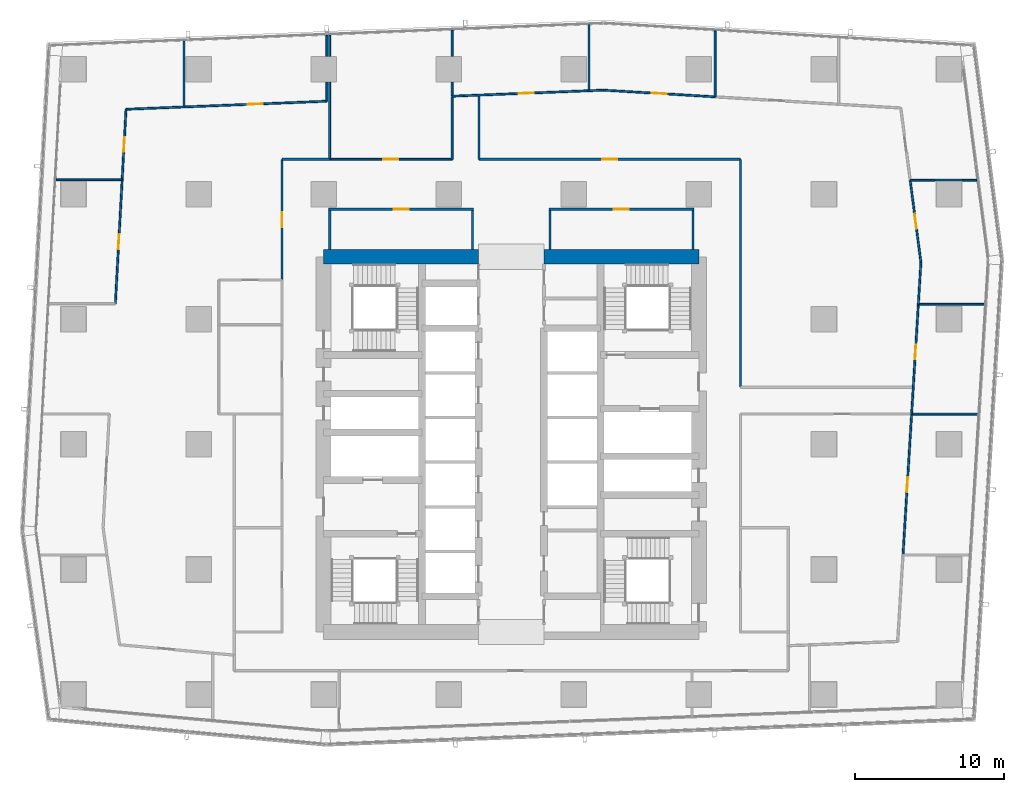
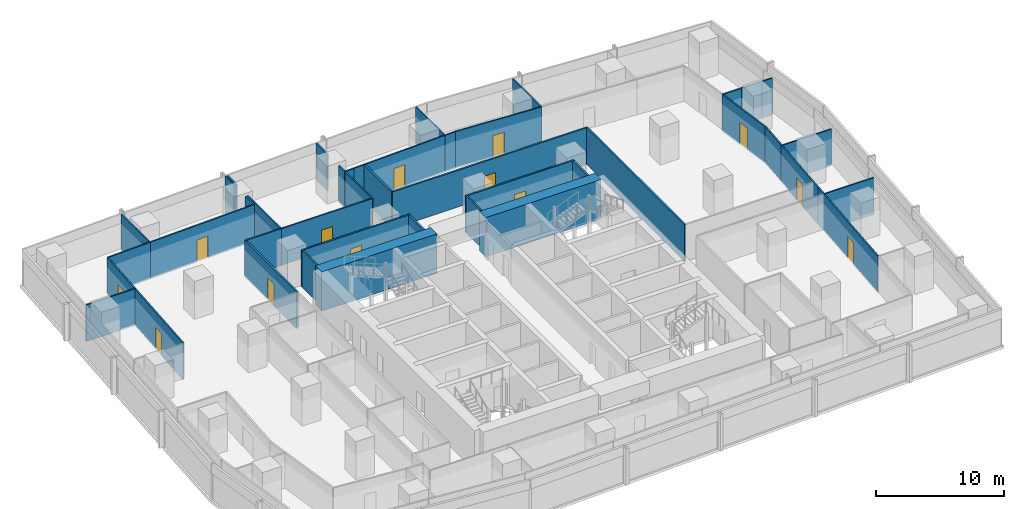
# One storey, part 31 of 40: 43 walls, 13 doors, 13 openings.
"""IFC4 building model written with IfcOpenShell, lengths in metres."""

from ifc_helpers import new_model, si_unit, direction, frame, frame_2d, origin, place, context, subcontext, project, spatial, rectangle, extrude, material, layer, layer_set, type_object, element, fill, save


model = new_model("IFC4")

# Units and contexts
model_context = context("Model", 3, precision=1e-05, world=origin(), true_north=direction((0.0, 1.0)))
body_context = subcontext(model_context, "Body", "Model", "MODEL_VIEW")
ifc_project = project(units=[si_unit("LENGTHUNIT", "METRE"), si_unit("AREAUNIT", "SQUARE_METRE"), si_unit("VOLUMEUNIT", "CUBIC_METRE"), si_unit("PLANEANGLEUNIT", "RADIAN"), si_unit("MASSUNIT", "GRAM", prefix="KILO")], contexts=[model_context])

# Site, building, storey
site_placement = place(None, origin())
site = spatial("IfcSite", under=ifc_project, at=site_placement, CompositionType="ELEMENT")
building_placement = place(site_placement, origin())
building = spatial("IfcBuilding", under=site, at=building_placement, Name="Rekha Terrace Tower", CompositionType="ELEMENT")
storey_placement = place(building_placement, frame((0.0, 0.0, 110.300048828125)))
storey = spatial("IfcBuildingStorey", under=building, at=storey_placement, Name="L27", CompositionType="ELEMENT", Elevation=110.300048828125)

# Walls
ifc_material_1 = material(Name="Concrete M70", Category="concrete")
ifc_layer_1 = layer(ifc_material_1, 1.0)
ifc_layer_set_1 = layer_set([ifc_layer_1], Name="Concrete M70")
wall_type_1 = type_object("IfcWallType", Name="SW2 1000 core outer shear wall", PredefinedType="SHEAR", material=ifc_layer_set_1)
wall_1_placement = place(storey_placement, frame((25.199951171875, 46.199951171875, 0.0), z_axis=(0.0, 0.0, 1.0), x_axis=(1.0, 0.0, 0.0)))
element("IfcWall", 1, at=wall_1_placement, inside=storey, type_object=wall_type_1, Name="Core wall N1 L27", PredefinedType="SHEAR", context=body_context, shape_type="SweptSolid", body=[
    extrude(rectangle(XDim=10.400146484375, YDim=1.0, at=frame_2d((5.2001953125, 0.0))), origin(), (0.0, 0.0, 1.0), 3.75),
])
wall_2_placement = place(storey_placement, frame((40.0, 46.199951171875, 0.0), z_axis=(0.0, 0.0, 1.0), x_axis=(1.0, 0.0, 0.0)))
element("IfcWall", 2, at=wall_2_placement, inside=storey, type_object=wall_type_1, Name="Core wall N2 L27", PredefinedType="SHEAR", context=body_context, shape_type="SweptSolid", body=[
    extrude(rectangle(XDim=10.39990234375, YDim=1.0, at=frame_2d((5.199951171875, 0.0))), origin(), (0.0, 0.0, 1.0), 3.75),
])

# Wall, opening, door
ifc_material_2 = material(Name="Concrete block masonry, 1 hour", Category="masonry")
ifc_layer_2 = layer(ifc_material_2, 0.14990234375)
ifc_layer_set_2 = layer_set([ifc_layer_2], Name="Concrete block masonry, 1 hour")
wall_type_2 = type_object("IfcWallType", Name="WP2 150 tenancy partition", PredefinedType="PARTITIONING", material=ifc_layer_set_2)
wall_3_placement = place(storey_placement, frame((40.324951171875, 49.39990234375, 0.0), z_axis=(0.0, 0.0, 1.0), x_axis=(1.0, 0.0, 0.0)))
wall_3 = element("IfcWall", 3, at=wall_3_placement, inside=storey, type_object=wall_type_2, Name="Women's WC wall L27", PredefinedType="PARTITIONING", context=body_context, shape_type="SweptSolid", body=[
    extrude(rectangle(XDim=9.75, YDim=0.14990234375, at=frame_2d((4.875, 0.0))), origin(), (0.0, 0.0, 1.0), 3.5),
])
opening_1_placement = place(wall_3_placement, frame((4.375, 0.0, 0.0)))
opening_1 = element("IfcOpeningElement", 4, at=opening_1_placement, cuts=wall_3, Name="Opening D3", PredefinedType="OPENING", context=body_context, shape_type="SweptSolid", body=[
    extrude(rectangle(XDim=1.0, YDim=2.10009765625, at=frame_2d((0.5, 1.050048828125))), frame((0.0, 0.0849609375, 0.0), z_axis=(0.0, -1.0, 0.0), x_axis=(1.0, 0.0, 0.0)), (0.0, 0.0, 1.0), 0.169921875),
])
ifc_material_3 = material(Name="Laminated timber fire door", Category="wood")
door_type_1 = type_object("IfcDoorType", Name="D3 1000x2100 WC door", OperationType="SINGLE_SWING_LEFT", PredefinedType="DOOR", material=ifc_material_3)
door_1_placement = place(opening_1_placement, origin())
door_1 = element("IfcDoor", 5, at=door_1_placement, inside=storey, type_object=door_type_1, Name="Door women's wc L27", OperationType="SINGLE_SWING_LEFT", OverallHeight=2.10009765625, OverallWidth=1.0, PredefinedType="DOOR", context=body_context, shape_type="SweptSolid", body=[
    extrude(rectangle(XDim=1.0, YDim=2.10009765625, at=frame_2d((0.5, 1.050048828125))), frame((0.0, 0.02490234375, 0.0), z_axis=(0.0, -1.0, 0.0), x_axis=(1.0, 0.0, 0.0)), (0.0, 0.0, 1.0), 0.050048828125),
])
fill(opening_1, door_1)

# Walls
for number, where, z_axis, x_axis, name in (
    (6, (40.39990234375, 46.699951171875, 0.0), (0.0, 0.0, 1.0), (0.0, 1.0, 0.0), "Women's WC wall L27"),
    (7, (50.0, 46.699951171875, 0.0), (0.0, 0.0, 1.0), (0.0, 1.0, 0.0), "Women's WC wall L27"),
):
    element("IfcWall", number, at=place(storey_placement, frame(where, z_axis=z_axis, x_axis=x_axis)), inside=storey, type_object=wall_type_2, Name=name, PredefinedType="PARTITIONING", context=body_context, shape_type="SweptSolid", body=[
        extrude(rectangle(XDim=2.625, YDim=0.14990234375, at=frame_2d((1.3125, 0.0))), origin(), (0.0, 0.0, 1.0), 3.5),
    ])

# Wall, opening, door
wall_4_placement = place(storey_placement, frame((25.52490234375, 49.39990234375, 0.0), z_axis=(0.0, 0.0, 1.0), x_axis=(1.0, 0.0, 0.0)))
wall_4 = element("IfcWall", 8, at=wall_4_placement, inside=storey, type_object=wall_type_2, Name="Women's WC wall L27", PredefinedType="PARTITIONING", context=body_context, shape_type="SweptSolid", body=[
    extrude(rectangle(XDim=9.75, YDim=0.14990234375, at=frame_2d((4.875, 0.0))), origin(), (0.0, 0.0, 1.0), 3.5),
])
opening_2_placement = place(wall_4_placement, frame((4.375, 0.0, 0.0)))
opening_2 = element("IfcOpeningElement", 9, at=opening_2_placement, cuts=wall_4, Name="Opening D3", PredefinedType="OPENING", context=body_context, shape_type="SweptSolid", body=[
    extrude(rectangle(XDim=1.0, YDim=2.10009765625, at=frame_2d((0.5, 1.050048828125))), frame((0.0, 0.0849609375, 0.0), z_axis=(0.0, -1.0, 0.0), x_axis=(1.0, 0.0, 0.0)), (0.0, 0.0, 1.0), 0.169921875),
])
door_2_placement = place(opening_2_placement, origin())
door_2 = element("IfcDoor", 10, at=door_2_placement, inside=storey, type_object=door_type_1, Name="Door women's wc L27", OperationType="SINGLE_SWING_LEFT", OverallHeight=2.10009765625, OverallWidth=1.0, PredefinedType="DOOR", context=body_context, shape_type="SweptSolid", body=[
    extrude(rectangle(XDim=1.0, YDim=2.10009765625, at=frame_2d((0.5, 1.050048828125))), frame((0.0, 0.02490234375, 0.0), z_axis=(0.0, -1.0, 0.0), x_axis=(1.0, 0.0, 0.0)), (0.0, 0.0, 1.0), 0.050048828125),
])
fill(opening_2, door_2)

# Walls
for number, where, z_axis, x_axis, name in (
    (11, (25.60009765625, 46.699951171875, 0.0), (0.0, 0.0, 1.0), (0.0, 1.0, 0.0), "Women's WC wall L27"),
    (12, (35.199951171875, 46.699951171875, 0.0), (0.0, 0.0, 1.0), (0.0, 1.0, 0.0), "Women's WC wall L27"),
):
    element("IfcWall", number, at=place(storey_placement, frame(where, z_axis=z_axis, x_axis=x_axis)), inside=storey, type_object=wall_type_2, Name=name, PredefinedType="PARTITIONING", context=body_context, shape_type="SweptSolid", body=[
        extrude(rectangle(XDim=2.625, YDim=0.14990234375, at=frame_2d((1.3125, 0.0))), origin(), (0.0, 0.0, 1.0), 3.5),
    ])
wall_5_placement = place(storey_placement, frame((66.260009765625, 51.35498046875, 0.0), z_axis=(0.0, 0.0, 1.0), x_axis=(1.0, 0.0, 0.0)))
element("IfcWall", 13, at=wall_5_placement, inside=storey, type_object=wall_type_2, Name="Partition L27-O1", PredefinedType="PARTITIONING", context=body_context, shape_type="SweptSolid", body=[
    extrude(rectangle(XDim=1.8798828125, YDim=0.14990234375, at=frame_2d((0.93994140625, 0.0))), origin(), (0.0, 0.0, 1.0), 3.5),
])
wall_6_placement = place(storey_placement, frame((53.199951171875, 37.43701171875, 0.0), z_axis=(0.0, 0.0, 1.0), x_axis=(0.0, 1.0, 0.0)))
element("IfcWall", 14, at=wall_6_placement, inside=storey, type_object=wall_type_2, Name="Partition L27-O1", PredefinedType="PARTITIONING", context=body_context, shape_type="SweptSolid", body=[
    extrude(rectangle(XDim=15.31298828125, YDim=0.14990234375, at=frame_2d((7.656494140625, 0.0))), origin(), (0.0, 0.0, 1.0), 3.5),
])

# Wall, opening, door
wall_7_placement = place(storey_placement, frame((53.199951171875, 52.75, 0.0), z_axis=(0.0, 0.0, 1.0), x_axis=(-1.0, 0.0, 0.0)))
wall_7 = element("IfcWall", 15, at=wall_7_placement, inside=storey, type_object=wall_type_2, Name="Partition L27-O1", PredefinedType="PARTITIONING", context=body_context, shape_type="SweptSolid", body=[
    extrude(rectangle(XDim=17.573974609375, YDim=0.14990234375, at=frame_2d((8.787109375, 0.0))), origin(), (0.0, 0.0, 1.0), 3.5),
])
opening_3_placement = place(wall_7_placement, frame((8.287109375, 0.0, 0.0)))
opening_3 = element("IfcOpeningElement", 16, at=opening_3_placement, cuts=wall_7, Name="Opening D9", PredefinedType="OPENING", context=body_context, shape_type="SweptSolid", body=[
    extrude(rectangle(XDim=1.0, YDim=2.10009765625, at=frame_2d((0.5, 1.050048828125))), frame((0.0, 0.0849609375, 0.0), z_axis=(0.0, -1.0, 0.0), x_axis=(1.0, 0.0, 0.0)), (0.0, 0.0, 1.0), 0.169921875),
])
ifc_material_4 = material(Name="Timber fire door", Category="wood")
door_type_2 = type_object("IfcDoorType", Name="D9 1000x2100 office door", OperationType="SINGLE_SWING_LEFT", PredefinedType="DOOR", material=ifc_material_4)
door_3_placement = place(opening_3_placement, origin())
door_3 = element("IfcDoor", 17, at=door_3_placement, inside=storey, type_object=door_type_2, Name="Door open-plan office L27", OperationType="SINGLE_SWING_LEFT", OverallHeight=2.10009765625, OverallWidth=1.0, PredefinedType="DOOR", context=body_context, shape_type="SweptSolid", body=[
    extrude(rectangle(XDim=1.0, YDim=2.10009765625, at=frame_2d((0.5, 1.050048828125))), frame((0.0, 0.02490234375, 0.0), z_axis=(0.0, -1.0, 0.0), x_axis=(1.0, 0.0, 0.0)), (0.0, 0.0, 1.0), 0.050048828125),
])
fill(opening_3, door_3)

# Walls
wall_8_placement = place(storey_placement, frame((35.6259765625, 52.75, 0.0), z_axis=(0.0, 0.0, 1.0), x_axis=(0.0, 1.0, 0.0)))
element("IfcWall", 18, at=wall_8_placement, inside=storey, type_object=wall_type_2, Name="Partition L27-O1", PredefinedType="PARTITIONING", context=body_context, shape_type="SweptSolid", body=[
    extrude(rectangle(XDim=4.24609375, YDim=0.14990234375, at=frame_2d((2.123046875, 0.0))), origin(), (0.0, 0.0, 1.0), 3.5),
])
wall_9_placement = place(storey_placement, frame((25.60009765625, 52.75, 0.0), z_axis=(0.0, 0.0, 1.0), x_axis=(-1.0, 0.0, 0.0)))
element("IfcWall", 19, at=wall_9_placement, inside=storey, type_object=wall_type_2, Name="Partition L27-O2", PredefinedType="PARTITIONING", context=body_context, shape_type="SweptSolid", body=[
    extrude(rectangle(XDim=3.2001953125, YDim=0.14990234375, at=frame_2d((1.60009765625, 0.0))), origin(), (0.0, 0.0, 1.0), 3.5),
])

# Wall, opening, door
wall_10_placement = place(storey_placement, frame((22.39990234375, 52.75, 0.0), z_axis=(0.0, 0.0, 1.0), x_axis=(0.0, -1.0, 0.0)))
wall_10 = element("IfcWall", 20, at=wall_10_placement, inside=storey, type_object=wall_type_2, Name="Partition L27-O2", PredefinedType="PARTITIONING", context=body_context, shape_type="SweptSolid", body=[
    extrude(rectangle(XDim=8.113037109375, YDim=0.14990234375, at=frame_2d((4.056640625, 0.0))), origin(), (0.0, 0.0, 1.0), 3.5),
])
opening_4_placement = place(wall_10_placement, frame((3.555908203125, 0.0, 0.0)))
opening_4 = element("IfcOpeningElement", 21, at=opening_4_placement, cuts=wall_10, Name="Opening D9", PredefinedType="OPENING", context=body_context, shape_type="SweptSolid", body=[
    extrude(rectangle(XDim=1.0, YDim=2.10009765625, at=frame_2d((0.5, 1.050048828125))), frame((0.0, 0.0849609375, 0.0), z_axis=(0.0, -1.0, 0.0), x_axis=(1.0, 0.0, 0.0)), (0.0, 0.0, 1.0), 0.169921875),
])
door_4_placement = place(opening_4_placement, origin())
door_4 = element("IfcDoor", 22, at=door_4_placement, inside=storey, type_object=door_type_2, Name="Door open-plan office L27", OperationType="SINGLE_SWING_LEFT", OverallHeight=2.10009765625, OverallWidth=1.0, PredefinedType="DOOR", context=body_context, shape_type="SweptSolid", body=[
    extrude(rectangle(XDim=1.0, YDim=2.10009765625, at=frame_2d((0.5, 1.050048828125))), frame((0.0, 0.02490234375, 0.0), z_axis=(0.0, -1.0, 0.0), x_axis=(1.0, 0.0, 0.0)), (0.0, 0.0, 1.0), 0.050048828125),
])
fill(opening_4, door_4)

ifc_material_5 = material(Name="Two layers of fire-rated gypsum board each side on steel studs, acoustic quilt, 1 hour", Category="steel")
ifc_layer_3 = layer(ifc_material_5, 0.125)
ifc_layer_set_3 = layer_set([ifc_layer_3], Name="Two layers of fire-rated gypsum board each side on steel studs, acoustic quilt, 1 hour")
wall_type_3 = type_object("IfcWallType", Name="WP3 125 office partition", PredefinedType="PARTITIONING", material=ifc_layer_set_3)
wall_11_placement = place(storey_placement, frame((64.114013671875, 26.1669921875, 0.0), z_axis=(0.0, 0.0, 1.0), x_axis=(0.061165020441, 0.998127667322, 0.0)))
wall_11 = element("IfcWall", 23, at=wall_11_placement, inside=storey, type_object=wall_type_3, Name="Partition L27-04", PredefinedType="PARTITIONING", context=body_context, shape_type="SweptSolid", body=[
    extrude(rectangle(XDim=9.48388671875, YDim=0.125, at=frame_2d((4.741943359375, 0.0))), origin(), (0.0, 0.0, 1.0), 3.5),
])
opening_5_placement = place(wall_11_placement, frame((4.241943359375, 0.0, 0.0)))
opening_5 = element("IfcOpeningElement", 24, at=opening_5_placement, cuts=wall_11, Name="Opening D9", PredefinedType="OPENING", context=body_context, shape_type="SweptSolid", body=[
    extrude(rectangle(XDim=1.0, YDim=2.10009765625, at=frame_2d((0.5, 1.050048828125))), frame((0.0, 0.072509765625, 0.0), z_axis=(0.0, -1.0, 0.0), x_axis=(1.0, 0.0, 0.0)), (0.0, 0.0, 1.0), 0.14501953125),
])
door_5_placement = place(opening_5_placement, origin())
door_5 = element("IfcDoor", 25, at=door_5_placement, inside=storey, type_object=door_type_2, Name="Door office L27", OperationType="SINGLE_SWING_LEFT", OverallHeight=2.10009765625, OverallWidth=1.0, PredefinedType="DOOR", context=body_context, shape_type="SweptSolid", body=[
    extrude(rectangle(XDim=1.0, YDim=2.10009765625, at=frame_2d((0.5, 1.050048828125))), frame((0.0, 0.02490234375, 0.0), z_axis=(0.0, -1.0, 0.0), x_axis=(1.0, 0.0, 0.0)), (0.0, 0.0, 1.0), 0.050048828125),
])
fill(opening_5, door_5)

# Wall
wall_12_placement = place(storey_placement, frame((64.694091796875, 35.633056640625, 0.0), z_axis=(0.0, 0.0, 1.0), x_axis=(1.0, 0.0, 0.0)))
element("IfcWall", 26, at=wall_12_placement, inside=storey, type_object=wall_type_3, Name="Partition L27-04", PredefinedType="PARTITIONING", context=body_context, shape_type="SweptSolid", body=[
    extrude(rectangle(XDim=4.4580078125, YDim=0.125, at=frame_2d((2.22900390625, 0.0))), origin(), (0.0, 0.0, 1.0), 3.5),
])

# Wall, opening, door
wall_13_placement = place(storey_placement, frame((64.7529296875, 36.589111328125, 0.0), z_axis=(0.0, 0.0, 1.0), x_axis=(0.061083835669, 0.998132638991, 0.0)))
wall_13 = element("IfcWall", 27, at=wall_13_placement, inside=storey, type_object=wall_type_3, Name="Partition L27-05", PredefinedType="PARTITIONING", context=body_context, shape_type="SweptSolid", body=[
    extrude(rectangle(XDim=6.434814453125, YDim=0.125, at=frame_2d((3.21728515625, 0.0))), origin(), (0.0, 0.0, 1.0), 3.5),
])
opening_6_placement = place(wall_13_placement, frame((2.718017578125, 0.0, 0.0)))
opening_6 = element("IfcOpeningElement", 28, at=opening_6_placement, cuts=wall_13, Name="Opening D9", PredefinedType="OPENING", context=body_context, shape_type="SweptSolid", body=[
    extrude(rectangle(XDim=1.0, YDim=2.10009765625, at=frame_2d((0.5, 1.050048828125))), frame((0.0, 0.072509765625, 0.0), z_axis=(0.0, -1.0, 0.0), x_axis=(1.0, 0.0, 0.0)), (0.0, 0.0, 1.0), 0.14501953125),
])
door_6_placement = place(opening_6_placement, origin())
door_6 = element("IfcDoor", 29, at=door_6_placement, inside=storey, type_object=door_type_2, Name="Door office L27", OperationType="SINGLE_SWING_LEFT", OverallHeight=2.10009765625, OverallWidth=1.0, PredefinedType="DOOR", context=body_context, shape_type="SweptSolid", body=[
    extrude(rectangle(XDim=1.0, YDim=2.10009765625, at=frame_2d((0.5, 1.050048828125))), frame((0.0, 0.02490234375, 0.0), z_axis=(0.0, -1.0, 0.0), x_axis=(1.0, 0.0, 0.0)), (0.0, 0.0, 1.0), 0.050048828125),
])
fill(opening_6, door_6)

# Walls
wall_14_placement = place(storey_placement, frame((65.14599609375, 43.011962890625, 0.0), z_axis=(0.0, 0.0, 1.0), x_axis=(1.0, 0.0, 0.0)))
element("IfcWall", 30, at=wall_14_placement, inside=storey, type_object=wall_type_3, Name="Partition L27-05", PredefinedType="PARTITIONING", context=body_context, shape_type="SweptSolid", body=[
    extrude(rectangle(XDim=4.4580078125, YDim=0.125, at=frame_2d((2.22900390625, 0.0))), origin(), (0.0, 0.0, 1.0), 3.5),
])
wall_15_placement = place(storey_placement, frame((64.694091796875, 35.634033203125, 0.0), z_axis=(0.0, 0.0, 1.0), x_axis=(0.061488745964, 0.998107776806, 0.0)))
element("IfcWall", 31, at=wall_15_placement, inside=storey, type_object=wall_type_3, Name="Partition L27-05", PredefinedType="PARTITIONING", context=body_context, shape_type="SweptSolid", body=[
    extrude(rectangle(XDim=0.956787109375, YDim=0.125, at=frame_2d((0.478515625, 0.0))), origin(), (0.0, 0.0, 1.0), 3.5),
])
wall_16_placement = place(storey_placement, frame((64.59912109375, 51.337890625, 0.0), z_axis=(0.0, 0.0, 1.0), x_axis=(1.0, 0.0, 0.0)))
element("IfcWall", 32, at=wall_16_placement, inside=storey, type_object=wall_type_3, Name="Partition L27-06", PredefinedType="PARTITIONING", context=body_context, shape_type="SweptSolid", body=[
    extrude(rectangle(XDim=1.660888671875, YDim=0.125, at=frame_2d((0.83056640625, 0.0))), origin(), (0.0, 0.0, 1.0), 3.5),
])
wall_17_placement = place(storey_placement, frame((68.139892578125, 51.337890625, 0.0), z_axis=(0.0, 0.0, 1.0), x_axis=(1.0, 0.0, 0.0)))
element("IfcWall", 33, at=wall_17_placement, inside=storey, type_object=wall_type_3, Name="Partition L27-06", PredefinedType="PARTITIONING", context=body_context, shape_type="SweptSolid", body=[
    extrude(rectangle(XDim=0.9169921875, YDim=0.125, at=frame_2d((0.45849609375, 0.0))), origin(), (0.0, 0.0, 1.0), 3.5),
])
wall_18_placement = place(storey_placement, frame((65.14599609375, 43.012939453125, 0.0), z_axis=(0.0, 0.0, 1.0), x_axis=(0.061242528703, 0.998122914614, 0.0)))
element("IfcWall", 34, at=wall_18_placement, inside=storey, type_object=wall_type_3, Name="Partition L27-06", PredefinedType="PARTITIONING", context=body_context, shape_type="SweptSolid", body=[
    extrude(rectangle(XDim=2.810546875, YDim=0.125, at=frame_2d((1.4052734375, 0.0))), origin(), (0.0, 0.0, 1.0), 3.5),
])

# Wall, opening, door
wall_19_placement = place(storey_placement, frame((65.318115234375, 45.818115234375, 0.0), z_axis=(0.0, 0.0, 1.0), x_axis=(-0.129166678345, 0.991622896673, 0.0)))
wall_19 = element("IfcWall", 35, at=wall_19_placement, inside=storey, type_object=wall_type_3, Name="Partition L27-06", PredefinedType="PARTITIONING", context=body_context, shape_type="SweptSolid", body=[
    extrude(rectangle(XDim=5.56640625, YDim=0.125, at=frame_2d((2.783203125, 0.0))), origin(), (0.0, 0.0, 1.0), 3.5),
])
opening_7_placement = place(wall_19_placement, frame((2.282958984375, 0.0, 0.0)))
opening_7 = element("IfcOpeningElement", 36, at=opening_7_placement, cuts=wall_19, Name="Opening D9", PredefinedType="OPENING", context=body_context, shape_type="SweptSolid", body=[
    extrude(rectangle(XDim=1.0, YDim=2.10009765625, at=frame_2d((0.5, 1.050048828125))), frame((0.0, 0.072509765625, 0.0), z_axis=(0.0, -1.0, 0.0), x_axis=(1.0, 0.0, 0.0)), (0.0, 0.0, 1.0), 0.14501953125),
])
door_7_placement = place(opening_7_placement, origin())
door_7 = element("IfcDoor", 37, at=door_7_placement, inside=storey, type_object=door_type_2, Name="Door office L27", OperationType="SINGLE_SWING_LEFT", OverallHeight=2.10009765625, OverallWidth=1.0, PredefinedType="DOOR", context=body_context, shape_type="SweptSolid", body=[
    extrude(rectangle(XDim=1.0, YDim=2.10009765625, at=frame_2d((0.5, 1.050048828125))), frame((0.0, 0.02490234375, 0.0), z_axis=(0.0, -1.0, 0.0), x_axis=(1.0, 0.0, 0.0)), (0.0, 0.0, 1.0), 0.050048828125),
])
fill(opening_7, door_7)

# Walls
wall_20_placement = place(storey_placement, frame((51.4951171875, 56.944091796875, 0.0), z_axis=(0.0, 0.0, 1.0), x_axis=(0.0, 1.0, 0.0)))
element("IfcWall", 38, at=wall_20_placement, inside=storey, type_object=wall_type_3, Name="Partition L27-08", PredefinedType="PARTITIONING", context=body_context, shape_type="SweptSolid", body=[
    extrude(rectangle(XDim=4.427978515625, YDim=0.125, at=frame_2d((2.2138671875, 0.0))), origin(), (0.0, 0.0, 1.0), 3.5),
])
wall_21_placement = place(storey_placement, frame((43.02392578125, 57.35595703125, 0.0), z_axis=(0.0, 0.0, 1.0), x_axis=(0.0, 1.0, 0.0)))
element("IfcWall", 39, at=wall_21_placement, inside=storey, type_object=wall_type_3, Name="Partition L27-09", PredefinedType="PARTITIONING", context=body_context, shape_type="SweptSolid", body=[
    extrude(rectangle(XDim=4.453125, YDim=0.125, at=frame_2d((2.2265625, 0.0))), origin(), (0.0, 0.0, 1.0), 3.5),
])

# Wall, opening, door
wall_22_placement = place(storey_placement, frame((51.493896484375, 56.944091796875, 0.0), z_axis=(0.0, 0.0, 1.0), x_axis=(-0.998197924015, 0.060007536963, 0.0)))
wall_22 = element("IfcWall", 40, at=wall_22_placement, inside=storey, type_object=wall_type_3, Name="Partition L27-09", PredefinedType="PARTITIONING", context=body_context, shape_type="SweptSolid", body=[
    extrude(rectangle(XDim=7.514404296875, YDim=0.125, at=frame_2d((3.75732421875, 0.0))), origin(), (0.0, 0.0, 1.0), 3.5),
])
opening_8_placement = place(wall_22_placement, frame((3.257080078125, 0.0, 0.0)))
opening_8 = element("IfcOpeningElement", 41, at=opening_8_placement, cuts=wall_22, Name="Opening D9", PredefinedType="OPENING", context=body_context, shape_type="SweptSolid", body=[
    extrude(rectangle(XDim=1.0, YDim=2.10009765625, at=frame_2d((0.5, 1.050048828125))), frame((0.0, 0.072509765625, 0.0), z_axis=(0.0, -1.0, 0.0), x_axis=(1.0, 0.0, 0.0)), (0.0, 0.0, 1.0), 0.14501953125),
])
door_8_placement = place(opening_8_placement, origin())
door_8 = element("IfcDoor", 42, at=door_8_placement, inside=storey, type_object=door_type_2, Name="Door office L27", OperationType="SINGLE_SWING_LEFT", OverallHeight=2.10009765625, OverallWidth=1.0, PredefinedType="DOOR", context=body_context, shape_type="SweptSolid", body=[
    extrude(rectangle(XDim=1.0, YDim=2.10009765625, at=frame_2d((0.5, 1.050048828125))), frame((0.0, 0.02490234375, 0.0), z_axis=(0.0, -1.0, 0.0), x_axis=(1.0, 0.0, 0.0)), (0.0, 0.0, 1.0), 0.050048828125),
])
fill(opening_8, door_8)

# Walls
wall_23_placement = place(storey_placement, frame((43.992919921875, 57.39501953125, 0.0), z_axis=(0.0, 0.0, 1.0), x_axis=(-0.999188443352, -0.040279705451, 0.0)))
element("IfcWall", 43, at=wall_23_placement, inside=storey, type_object=wall_type_3, Name="Partition L27-09", PredefinedType="PARTITIONING", context=body_context, shape_type="SweptSolid", body=[
    extrude(rectangle(XDim=0.9697265625, YDim=0.125, at=frame_2d((0.48486328125, 0.0))), origin(), (0.0, 0.0, 1.0), 3.5),
])
wall_24_placement = place(storey_placement, frame((33.827880859375, 56.987060546875, 0.0), z_axis=(0.0, 0.0, 1.0), x_axis=(0.0, 1.0, 0.0)))
element("IfcWall", 44, at=wall_24_placement, inside=storey, type_object=wall_type_3, Name="Partition L27-10", PredefinedType="PARTITIONING", context=body_context, shape_type="SweptSolid", body=[
    extrude(rectangle(XDim=0.94287109375, YDim=0.125, at=frame_2d((0.471435546875, 0.0))), origin(), (0.0, 0.0, 1.0), 3.5),
])
wall_25_placement = place(storey_placement, frame((33.827880859375, 59.669921875, 0.0), z_axis=(0.0, 0.0, 1.0), x_axis=(0.0, 1.0, 0.0)))
element("IfcWall", 45, at=wall_25_placement, inside=storey, type_object=wall_type_3, Name="Partition L27-10", PredefinedType="PARTITIONING", context=body_context, shape_type="SweptSolid", body=[
    extrude(rectangle(XDim=1.740966796875, YDim=0.125, at=frame_2d((0.87060546875, 0.0))), origin(), (0.0, 0.0, 1.0), 3.5),
])

# Wall, opening, door
wall_26_placement = place(storey_placement, frame((43.02294921875, 57.35595703125, 0.0), z_axis=(0.0, 0.0, 1.0), x_axis=(-0.99919558042, -0.040102270134, 0.0)))
wall_26 = element("IfcWall", 46, at=wall_26_placement, inside=storey, type_object=wall_type_3, Name="Partition L27-10", PredefinedType="PARTITIONING", context=body_context, shape_type="SweptSolid", body=[
    extrude(rectangle(XDim=8.42578125, YDim=0.125, at=frame_2d((4.212890625, 0.0))), origin(), (0.0, 0.0, 1.0), 3.5),
])
opening_9_placement = place(wall_26_placement, frame((3.712890625, 0.0, 0.0)))
opening_9 = element("IfcOpeningElement", 47, at=opening_9_placement, cuts=wall_26, Name="Opening D9", PredefinedType="OPENING", context=body_context, shape_type="SweptSolid", body=[
    extrude(rectangle(XDim=1.0, YDim=2.10009765625, at=frame_2d((0.5, 1.050048828125))), frame((0.0, 0.072509765625, 0.0), z_axis=(0.0, -1.0, 0.0), x_axis=(1.0, 0.0, 0.0)), (0.0, 0.0, 1.0), 0.14501953125),
])
door_9_placement = place(opening_9_placement, origin())
door_9 = element("IfcDoor", 48, at=door_9_placement, inside=storey, type_object=door_type_2, Name="Door office L27", OperationType="SINGLE_SWING_LEFT", OverallHeight=2.10009765625, OverallWidth=1.0, PredefinedType="DOOR", context=body_context, shape_type="SweptSolid", body=[
    extrude(rectangle(XDim=1.0, YDim=2.10009765625, at=frame_2d((0.5, 1.050048828125))), frame((0.0, 0.02490234375, 0.0), z_axis=(0.0, -1.0, 0.0), x_axis=(1.0, 0.0, 0.0)), (0.0, 0.0, 1.0), 0.050048828125),
])
fill(opening_9, door_9)

# Walls
wall_27_placement = place(storey_placement, frame((34.60400390625, 57.01806640625, 0.0), z_axis=(0.0, 0.0, 1.0), x_axis=(-0.999202965854, -0.039917828457, 0.0)))
element("IfcWall", 49, at=wall_27_placement, inside=storey, type_object=wall_type_3, Name="Partition L27-10", PredefinedType="PARTITIONING", context=body_context, shape_type="SweptSolid", body=[
    extrude(rectangle(XDim=0.77685546875, YDim=0.125, at=frame_2d((0.388427734375, 0.0))), origin(), (0.0, 0.0, 1.0), 3.5),
])
wall_28_placement = place(storey_placement, frame((33.825927734375, 56.924072265625, 0.0), z_axis=(0.0, 0.0, 1.0), x_axis=(0.0, -1.0, 0.0)))
element("IfcWall", 50, at=wall_28_placement, inside=storey, type_object=wall_type_3, Name="Partition L27-12", PredefinedType="PARTITIONING", context=body_context, shape_type="SweptSolid", body=[
    extrude(rectangle(XDim=4.174072265625, YDim=0.125, at=frame_2d((2.0869140625, 0.0))), origin(), (0.0, 0.0, 1.0), 3.5),
])

# Wall, opening, door
wall_29_placement = place(storey_placement, frame((33.825927734375, 52.75, 0.0), z_axis=(0.0, 0.0, 1.0), x_axis=(-1.0, 0.0, 0.0)))
wall_29 = element("IfcWall", 51, at=wall_29_placement, inside=storey, type_object=wall_type_3, Name="Partition L27-12", PredefinedType="PARTITIONING", context=body_context, shape_type="SweptSolid", body=[
    extrude(rectangle(XDim=8.225830078125, YDim=0.125, at=frame_2d((4.11279296875, 0.0))), origin(), (0.0, 0.0, 1.0), 3.5),
])
opening_10_placement = place(wall_29_placement, frame((3.613037109375, 0.0, 0.0)))
opening_10 = element("IfcOpeningElement", 52, at=opening_10_placement, cuts=wall_29, Name="Opening D9", PredefinedType="OPENING", context=body_context, shape_type="SweptSolid", body=[
    extrude(rectangle(XDim=1.0, YDim=2.10009765625, at=frame_2d((0.5, 1.050048828125))), frame((0.0, 0.072509765625, 0.0), z_axis=(0.0, -1.0, 0.0), x_axis=(1.0, 0.0, 0.0)), (0.0, 0.0, 1.0), 0.14501953125),
])
door_10_placement = place(opening_10_placement, origin())
door_10 = element("IfcDoor", 53, at=door_10_placement, inside=storey, type_object=door_type_2, Name="Door reception L27", OperationType="SINGLE_SWING_LEFT", OverallHeight=2.10009765625, OverallWidth=1.0, PredefinedType="DOOR", context=body_context, shape_type="SweptSolid", body=[
    extrude(rectangle(XDim=1.0, YDim=2.10009765625, at=frame_2d((0.5, 1.050048828125))), frame((0.0, 0.02490234375, 0.0), z_axis=(0.0, -1.0, 0.0), x_axis=(1.0, 0.0, 0.0)), (0.0, 0.0, 1.0), 0.050048828125),
])
fill(opening_10, door_10)

# Walls
wall_30_placement = place(storey_placement, frame((25.60009765625, 52.75, 0.0), z_axis=(0.0, 0.0, 1.0), x_axis=(0.0, 1.0, 0.0)))
element("IfcWall", 54, at=wall_30_placement, inside=storey, type_object=wall_type_3, Name="Partition L27-12", PredefinedType="PARTITIONING", context=body_context, shape_type="SweptSolid", body=[
    extrude(rectangle(XDim=5.179931640625, YDim=0.125, at=frame_2d((2.58984375, 0.0))), origin(), (0.0, 0.0, 1.0), 3.5),
])
wall_31_placement = place(storey_placement, frame((25.60009765625, 59.669921875, 0.0), z_axis=(0.0, 0.0, 1.0), x_axis=(0.0, 1.0, 0.0)))
element("IfcWall", 55, at=wall_31_placement, inside=storey, type_object=wall_type_3, Name="Partition L27-12", PredefinedType="PARTITIONING", context=body_context, shape_type="SweptSolid", body=[
    extrude(rectangle(XDim=1.4111328125, YDim=0.125, at=frame_2d((0.70556640625, 0.0))), origin(), (0.0, 0.0, 1.0), 3.5),
])
wall_32_placement = place(storey_placement, frame((15.81494140625, 56.264892578125, 0.0), z_axis=(0.0, 0.0, 1.0), x_axis=(0.0, 1.0, 0.0)))
element("IfcWall", 56, at=wall_32_placement, inside=storey, type_object=wall_type_3, Name="Partition L27-13", PredefinedType="PARTITIONING", context=body_context, shape_type="SweptSolid", body=[
    extrude(rectangle(XDim=4.424072265625, YDim=0.125, at=frame_2d((2.2119140625, 0.0))), origin(), (0.0, 0.0, 1.0), 3.5),
])
wall_33_placement = place(storey_placement, frame((25.4130859375, 61.073974609375, 0.0), z_axis=(0.0, 0.0, 1.0), x_axis=(0.0, -1.0, 0.0)))
element("IfcWall", 57, at=wall_33_placement, inside=storey, type_object=wall_type_3, Name="Partition L27-13", PredefinedType="PARTITIONING", context=body_context, shape_type="SweptSolid", body=[
    extrude(rectangle(XDim=1.404052734375, YDim=0.125, at=frame_2d((0.7021484375, 0.0))), origin(), (0.0, 0.0, 1.0), 3.5),
])
wall_34_placement = place(storey_placement, frame((25.4130859375, 57.929931640625, 0.0), z_axis=(0.0, 0.0, 1.0), x_axis=(0.0, -1.0, 0.0)))
element("IfcWall", 58, at=wall_34_placement, inside=storey, type_object=wall_type_3, Name="Partition L27-13", PredefinedType="PARTITIONING", context=body_context, shape_type="SweptSolid", body=[
    extrude(rectangle(XDim=1.280029296875, YDim=0.125, at=frame_2d((0.64013671875, 0.0))), origin(), (0.0, 0.0, 1.0), 3.5),
])

# Wall, opening, door
wall_35_placement = place(storey_placement, frame((25.4130859375, 56.64990234375, 0.0), z_axis=(0.0, 0.0, 1.0), x_axis=(-0.999196445736, -0.040080703946, 0.0)))
wall_35 = element("IfcWall", 59, at=wall_35_placement, inside=storey, type_object=wall_type_3, Name="Partition L27-13", PredefinedType="PARTITIONING", context=body_context, shape_type="SweptSolid", body=[
    extrude(rectangle(XDim=9.60595703125, YDim=0.125, at=frame_2d((4.802978515625, 0.0))), origin(), (0.0, 0.0, 1.0), 3.5),
])
opening_11_placement = place(wall_35_placement, frame((4.302978515625, 0.0, 0.0)))
opening_11 = element("IfcOpeningElement", 60, at=opening_11_placement, cuts=wall_35, Name="Opening D9", PredefinedType="OPENING", context=body_context, shape_type="SweptSolid", body=[
    extrude(rectangle(XDim=1.0, YDim=2.10009765625, at=frame_2d((0.5, 1.050048828125))), frame((0.0, 0.072509765625, 0.0), z_axis=(0.0, -1.0, 0.0), x_axis=(1.0, 0.0, 0.0)), (0.0, 0.0, 1.0), 0.14501953125),
])
door_11_placement = place(opening_11_placement, origin())
door_11 = element("IfcDoor", 61, at=door_11_placement, inside=storey, type_object=door_type_2, Name="Door office L27", OperationType="SINGLE_SWING_LEFT", OverallHeight=2.10009765625, OverallWidth=1.0, PredefinedType="DOOR", context=body_context, shape_type="SweptSolid", body=[
    extrude(rectangle(XDim=1.0, YDim=2.10009765625, at=frame_2d((0.5, 1.050048828125))), frame((0.0, 0.02490234375, 0.0), z_axis=(0.0, -1.0, 0.0), x_axis=(1.0, 0.0, 0.0)), (0.0, 0.0, 1.0), 0.050048828125),
])
fill(opening_11, door_11)

# Walls
wall_36_placement = place(storey_placement, frame((11.6630859375, 51.37890625, 0.0), z_axis=(0.0, 0.0, 1.0), x_axis=(-1.0, 0.0, 0.0)))
element("IfcWall", 62, at=wall_36_placement, inside=storey, type_object=wall_type_3, Name="Partition L27-14", PredefinedType="PARTITIONING", context=body_context, shape_type="SweptSolid", body=[
    extrude(rectangle(XDim=4.427001953125, YDim=0.125, at=frame_2d((2.21337890625, 0.0))), origin(), (0.0, 0.0, 1.0), 3.5),
])
wall_37_placement = place(storey_placement, frame((15.81396484375, 56.264892578125, 0.0), z_axis=(0.0, 0.0, 1.0), x_axis=(-0.999197550699, -0.040053148165, 0.0)))
element("IfcWall", 63, at=wall_37_placement, inside=storey, type_object=wall_type_3, Name="Partition L27-14", PredefinedType="PARTITIONING", context=body_context, shape_type="SweptSolid", body=[
    extrude(rectangle(XDim=3.89501953125, YDim=0.125, at=frame_2d((1.947509765625, 0.0))), origin(), (0.0, 0.0, 1.0), 3.5),
])

# Wall, opening, door
wall_38_placement = place(storey_placement, frame((11.922119140625, 56.10888671875, 0.0), z_axis=(0.0, 0.0, 1.0), x_axis=(-0.054682179352, -0.998503810339, 0.0)))
wall_38 = element("IfcWall", 64, at=wall_38_placement, inside=storey, type_object=wall_type_3, Name="Partition L27-14", PredefinedType="PARTITIONING", context=body_context, shape_type="SweptSolid", body=[
    extrude(rectangle(XDim=4.737060546875, YDim=0.125, at=frame_2d((2.36865234375, 0.0))), origin(), (0.0, 0.0, 1.0), 3.5),
])
opening_12_placement = place(wall_38_placement, frame((1.868896484375, 0.0, 0.0)))
opening_12 = element("IfcOpeningElement", 65, at=opening_12_placement, cuts=wall_38, Name="Opening D9", PredefinedType="OPENING", context=body_context, shape_type="SweptSolid", body=[
    extrude(rectangle(XDim=1.0, YDim=2.10009765625, at=frame_2d((0.5, 1.050048828125))), frame((0.0, 0.072509765625, 0.0), z_axis=(0.0, -1.0, 0.0), x_axis=(1.0, 0.0, 0.0)), (0.0, 0.0, 1.0), 0.14501953125),
])
door_12_placement = place(opening_12_placement, origin())
door_12 = element("IfcDoor", 66, at=door_12_placement, inside=storey, type_object=door_type_2, Name="Door manager's office L27", OperationType="SINGLE_SWING_LEFT", OverallHeight=2.10009765625, OverallWidth=1.0, PredefinedType="DOOR", context=body_context, shape_type="SweptSolid", body=[
    extrude(rectangle(XDim=1.0, YDim=2.10009765625, at=frame_2d((0.5, 1.050048828125))), frame((0.0, 0.02490234375, 0.0), z_axis=(0.0, -1.0, 0.0), x_axis=(1.0, 0.0, 0.0)), (0.0, 0.0, 1.0), 0.050048828125),
])
fill(opening_12, door_12)

wall_39_placement = place(storey_placement, frame((11.6630859375, 51.3779296875, 0.0), z_axis=(0.0, 0.0, 1.0), x_axis=(-0.054769987218, -0.998498997746, 0.0)))
wall_39 = element("IfcWall", 67, at=wall_39_placement, inside=storey, type_object=wall_type_3, Name="Partition L27-15", PredefinedType="PARTITIONING", context=body_context, shape_type="SweptSolid", body=[
    extrude(rectangle(XDim=8.344482421875, YDim=0.125, at=frame_2d((4.17236328125, 0.0))), origin(), (0.0, 0.0, 1.0), 3.5),
])
opening_13_placement = place(wall_39_placement, frame((3.672119140625, 0.0, 0.0)))
opening_13 = element("IfcOpeningElement", 68, at=opening_13_placement, cuts=wall_39, Name="Opening D9", PredefinedType="OPENING", context=body_context, shape_type="SweptSolid", body=[
    extrude(rectangle(XDim=1.0, YDim=2.10009765625, at=frame_2d((0.5, 1.050048828125))), frame((0.0, 0.072509765625, 0.0), z_axis=(0.0, -1.0, 0.0), x_axis=(1.0, 0.0, 0.0)), (0.0, 0.0, 1.0), 0.14501953125),
])
door_13_placement = place(opening_13_placement, origin())
door_13 = element("IfcDoor", 69, at=door_13_placement, inside=storey, type_object=door_type_2, Name="Door breakout lounge L27", OperationType="SINGLE_SWING_LEFT", OverallHeight=2.10009765625, OverallWidth=1.0, PredefinedType="DOOR", context=body_context, shape_type="SweptSolid", body=[
    extrude(rectangle(XDim=1.0, YDim=2.10009765625, at=frame_2d((0.5, 1.050048828125))), frame((0.0, 0.02490234375, 0.0), z_axis=(0.0, -1.0, 0.0), x_axis=(1.0, 0.0, 0.0)), (0.0, 0.0, 1.0), 0.050048828125),
])
fill(opening_13, door_13)

save(model, "model.ifc")
